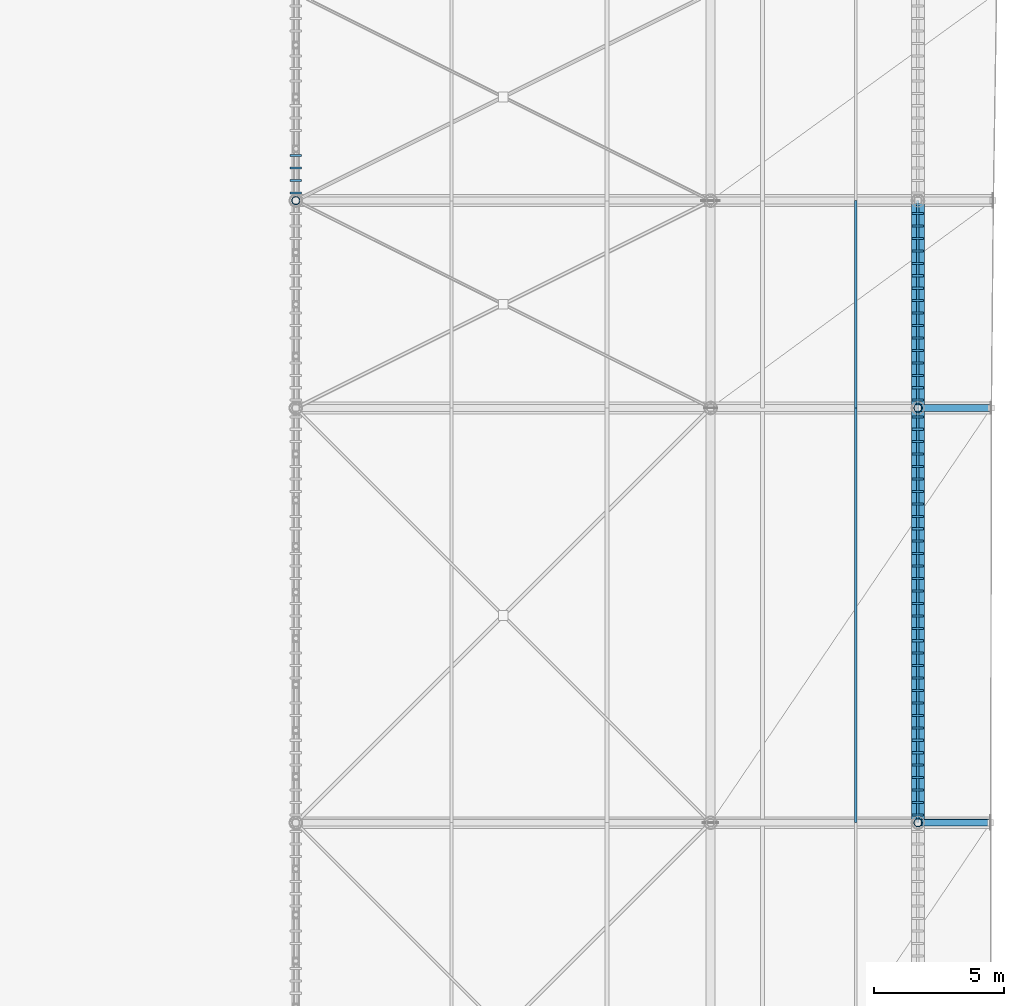
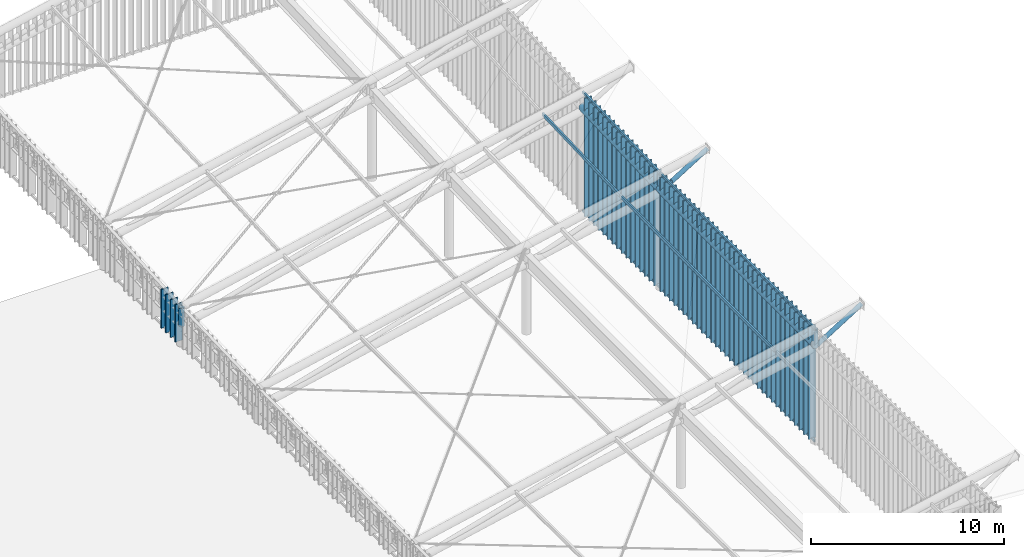
# One storey, part 10 of 25: 64 members, 2 beams.
"""IFC4 building model written with IfcOpenShell, lengths in metres."""

import ifcopenshell
import ifcopenshell.guid

model = None  # the IFC model being written
_history = None  # IfcOwnerHistory: only IFC2X3 demands one
_inside = {}  # id of a spatial element -> (the spatial element, [elements in it])
_under = {}  # id of a project, library or spatial element -> (it, [spatial elements below it])
_declared = {}  # id of a project -> (the project, [libraries it declares])
_typed = {}  # id of a type object -> (the type object, [elements of that type])
_made_of = {}  # id of a material, layer set ... -> (it, [elements and type objects made of it])


def new_model(schema):
    """Start an empty IFC model of exactly this schema.

    Asked for "IFC4X3", IfcOpenShell would pick the latest addendum, in which some entities
    have other attributes; the version numbers below select the first issue.
    IFC2X3 requires an IfcOwnerHistory on every rooted entity: one is made here for all.
    """
    global model, _history
    if schema == "IFC4X3":
        model = ifcopenshell.file(schema_version=(4, 3, 0, 0))
    else:
        model = ifcopenshell.file(schema=schema)
    _inside.clear()
    _under.clear()
    _declared.clear()
    _typed.clear()
    _made_of.clear()
    _history = None
    if model.schema == "IFC2X3":
        org = make("IfcOrganization", Name="unknown")
        user = make(
            "IfcPersonAndOrganization",
            ThePerson=make("IfcPerson", FamilyName="unknown"),
            TheOrganization=org,
        )
        app = make(
            "IfcApplication",
            ApplicationDeveloper=org,
            Version="unknown",
            ApplicationFullName="unknown",
            ApplicationIdentifier="unknown",
        )
        _history = make(
            "IfcOwnerHistory",
            OwningUser=user,
            OwningApplication=app,
            ChangeAction="ADDED",
            CreationDate=0,
        )
    return model


def make(cls, **values):
    """One entity of the class cls with the attributes given. An attribute that is None is left unset."""
    return model.create_entity(
        cls, **{name: value for name, value in values.items() if value is not None}
    )


def rooted(cls, **values):
    """An entity with a GlobalId (a new one), such as an element, a storey or a relation."""
    return make(cls, GlobalId=ifcopenshell.guid.new(), OwnerHistory=_history, **values)


def si_unit(unit_type, name, prefix=None):
    """IfcSIUnit, for example si_unit("LENGTHUNIT", "METRE", prefix="MILLI")."""
    return make("IfcSIUnit", UnitType=unit_type, Prefix=prefix, Name=name)


def assignment(units):
    """IfcUnitAssignment: the units of a project."""
    return None if units is None else make("IfcUnitAssignment", Units=units)


def point(xyz):
    """IfcCartesianPoint."""
    return None if xyz is None else make("IfcCartesianPoint", Coordinates=xyz)


def direction(xyz):
    """IfcDirection."""
    return None if xyz is None else make("IfcDirection", DirectionRatios=xyz)


def frame(location, z_axis=None, x_axis=None):
    """IfcAxis2Placement3D, a coordinate frame: its origin and axes. An axis left out is left unset."""
    return make(
        "IfcAxis2Placement3D",
        Location=point(location),
        Axis=direction(z_axis),
        RefDirection=direction(x_axis),
    )


def frame_2d(location, x_axis=None):
    """IfcAxis2Placement2D, a coordinate frame in the plane: its origin and x axis."""
    return make(
        "IfcAxis2Placement2D", Location=point(location), RefDirection=direction(x_axis)
    )


def origin():
    """The frame at (0, 0, 0) with its axes left unset."""
    return frame((0.0, 0.0, 0.0))


def origin_2d():
    """The frame at (0, 0) in the plane with its x axis left unset."""
    return frame_2d((0.0, 0.0))


def place(relative_to, where):
    """IfcLocalPlacement: puts the frame where relative to a parent placement (None: the world)."""
    return make(
        "IfcLocalPlacement", PlacementRelTo=relative_to, RelativePlacement=where
    )


def context(
    kind, dimensions, precision=None, world=None, true_north=None, identifier=None
):
    """IfcGeometricRepresentationContext, for example the 3D "Model" context."""
    return make(
        "IfcGeometricRepresentationContext",
        ContextIdentifier=identifier,
        ContextType=kind,
        CoordinateSpaceDimension=dimensions,
        Precision=precision,
        WorldCoordinateSystem=world,
        TrueNorth=true_north,
    )


def subcontext(parent, identifier, kind, view, scale=None):
    """IfcGeometricRepresentationSubContext, for example "Body" below "Model"."""
    return make(
        "IfcGeometricRepresentationSubContext",
        ContextIdentifier=identifier,
        ContextType=kind,
        ParentContext=parent,
        TargetScale=scale,
        TargetView=view,
    )


def project(units=None, contexts=None):
    """IfcProject with its units and contexts."""
    return rooted(
        "IfcProject",
        Name="project",
        RepresentationContexts=contexts,
        UnitsInContext=assignment(units),
    )


def spatial(cls, under=None, at=None, **own):
    """A site, building, storey or space (cls), placed at a placement, below another one or the project."""
    s = rooted(cls, ObjectPlacement=at, **own)
    if under is not None:
        _under.setdefault(under.id(), (under, []))[1].append(s)
    return s


def profile(cls, at=None, kind="AREA", **sizes):
    """A parametric profile (cls). Its sizes go by their IFC names, for example OverallWidth=200.0."""
    return make(cls, ProfileType=kind, Position=at, **sizes)


def rectangle(**sizes):
    """IfcRectangleProfileDef."""
    return profile("IfcRectangleProfileDef", **sizes)


def hollow_rectangle(**sizes):
    """IfcRectangleHollowProfileDef."""
    return profile("IfcRectangleHollowProfileDef", **sizes)


def hollow_circle(**sizes):
    """IfcCircleHollowProfileDef."""
    return profile("IfcCircleHollowProfileDef", **sizes)


def extrude(swept, where, along, depth):
    """IfcExtrudedAreaSolid: the profile swept, set in the frame where, extruded along a direction by depth."""
    return make(
        "IfcExtrudedAreaSolid",
        SweptArea=swept,
        Position=where,
        ExtrudedDirection=direction(along),
        Depth=depth,
    )


def shape(context_of_items, identifier, shape_type, items):
    """IfcShapeRepresentation: the items that make up one representation, for example the "Body"."""
    return make(
        "IfcShapeRepresentation",
        ContextOfItems=context_of_items,
        RepresentationIdentifier=identifier,
        RepresentationType=shape_type,
        Items=items,
    )


def material(Name=None, Category=None):
    """IfcMaterial."""
    return make("IfcMaterial", Name=Name, Category=Category)


def material_profile(
    of_material, cross_section, Name=None, Category=None, Priority=None
):
    """IfcMaterialProfile: a cross section and its material."""
    return make(
        "IfcMaterialProfile",
        Name=Name,
        Material=of_material,
        Profile=cross_section,
        Priority=Priority,
        Category=Category,
    )


def profile_set(profiles, Name=None, composite=None):
    """IfcMaterialProfileSet."""
    return make(
        "IfcMaterialProfileSet",
        Name=Name,
        MaterialProfiles=profiles,
        CompositeProfile=composite,
    )


def made_of(thing, what):
    """Note that an element or type object is made of a material, layer set ...; save() writes the relation."""
    if what is not None:
        _made_of.setdefault(what.id(), (what, []))[1].append(thing)
    return thing


def type_object(cls, material=None, **own):
    """A type object (cls), such as IfcWallType, which elements share."""
    return made_of(rooted(cls, **own), material)


def element(
    cls,
    number,
    at=None,
    inside=None,
    cuts=None,
    type_object=None,
    material=None,
    context=None,
    identifier="Body",
    shape_type=None,
    held_by="IfcProductDefinitionShape",
    body=None,
    shapes=None,
    **own,
):
    """One element of the class cls, such as IfcWall. Its Tag is "e" and its number.

    at: its placement. inside: the storey or other place that contains it. cuts: it is an
    opening in that element (IfcRelVoidsElement). A single representation is given by context,
    identifier, shape_type and body (its items); several are given by shapes. held_by: the class
    of the entity that holds the representations. save() writes the other relations.
    """
    e = rooted(cls, Tag="e%d" % number, ObjectPlacement=at, **own)
    if body is not None:
        shapes = [shape(context, identifier, shape_type, body)]
    if shapes is not None:
        e.Representation = make(held_by, Representations=shapes)
    if inside is not None:
        _inside.setdefault(inside.id(), (inside, []))[1].append(e)
    if cuts is not None:
        rooted(
            "IfcRelVoidsElement", RelatingBuildingElement=cuts, RelatedOpeningElement=e
        )
    if type_object is not None:
        _typed.setdefault(type_object.id(), (type_object, []))[1].append(e)
    return made_of(e, material)


def aggregate(whole, parts):
    """IfcRelAggregates: a whole, such as a stair, and the parts it consists of."""
    return rooted("IfcRelAggregates", RelatingObject=whole, RelatedObjects=parts)


def save(model, path):
    """Write the relations noted so far, then the file.

    IfcRelAggregates (storeys below a building ...), IfcRelContainedInSpatialStructure (elements
    in a storey), IfcRelDefinesByType, IfcRelAssociatesMaterial and IfcRelDeclares: one each for
    every whole, place, type object, material and project.
    """
    for whole, parts in _under.values():
        aggregate(whole, parts)
    for where, things in _inside.values():
        rooted(
            "IfcRelContainedInSpatialStructure",
            RelatedElements=things,
            RelatingStructure=where,
        )
    for kind, things in _typed.values():
        rooted("IfcRelDefinesByType", RelatedObjects=things, RelatingType=kind)
    for what, things in _made_of.values():
        rooted("IfcRelAssociatesMaterial", RelatedObjects=things, RelatingMaterial=what)
    for by, libraries in _declared.values():
        rooted("IfcRelDeclares", RelatingContext=by, RelatedDefinitions=libraries)
    model.write(path)


model = new_model("IFC4")

# Units and contexts
model_context = context("Model", 3, precision=1e-05, world=origin(), true_north=direction((0.0, 1.0)))
body_context = subcontext(model_context, "Body", "Model", "MODEL_VIEW")
ifc_project = project(units=[si_unit("LENGTHUNIT", "METRE"), si_unit("AREAUNIT", "SQUARE_METRE"), si_unit("VOLUMEUNIT", "CUBIC_METRE"), si_unit("PLANEANGLEUNIT", "RADIAN"), si_unit("MASSUNIT", "GRAM", prefix="KILO")], contexts=[model_context])

# Site, building, storey
site_placement = place(None, origin())
site = spatial("IfcSite", under=ifc_project, at=site_placement, CompositionType="ELEMENT")
building_placement = place(site_placement, origin())
building = spatial("IfcBuilding", under=site, at=building_placement, Name="Haebicheon Civic Stadium", CompositionType="ELEMENT")
storey_placement = place(building_placement, frame((0.0, 0.0, 31.199951171875)))
storey = spatial("IfcBuildingStorey", under=building, at=storey_placement, Name="RF", CompositionType="ELEMENT", Elevation=31.199951171875)

# Members
ifc_material_1 = material(Name="White painted steel SM490", Category="steel")
ifc_material_profile_1 = material_profile(ifc_material_1, hollow_circle(Radius=0.1337890625, WallThickness=0.011962890625, at=origin_2d()), Name="CHS-267.4x12.0")
ifc_profile_set_1 = profile_set([ifc_material_profile_1], Name="White painted steel SM490")
member_type_1 = type_object("IfcMemberType", Name="BRC-CHS267", PredefinedType="BRACE", material=ifc_profile_set_1)
member_1_placement = place(storey_placement, frame((72.118896484375, 88.0, 6.06494140625), z_axis=(0.84764254313, 0.0, 0.530567732788), x_axis=(0.0, 1.0, 0.0)))
element("IfcMember", 1, at=member_1_placement, inside=storey, type_object=member_type_1, material=ifc_profile_set_1, Name="BR267 diagonal brace CAN-WEST truss 5 tip", PredefinedType="BRACE", context=body_context, shape_type="SweptSolid", body=[
    extrude(hollow_circle(Radius=0.1337890625, WallThickness=0.011962890625, at=origin_2d()), origin(), (0.0, 0.0, 1.0), 3.1630859375),
])
member_2_placement = place(storey_placement, frame((72.118896484375, 104.0, 6.1611328125), z_axis=(0.849184113658, 0.0, 0.528096905038), x_axis=(0.0, 1.0, 0.0)))
element("IfcMember", 2, at=member_2_placement, inside=storey, type_object=member_type_1, material=ifc_profile_set_1, Name="BR267 diagonal brace CAN-WEST truss 6 tip", PredefinedType="BRACE", context=body_context, shape_type="SweptSolid", body=[
    extrude(hollow_circle(Radius=0.1337890625, WallThickness=0.011962890625, at=origin_2d()), origin(), (0.0, 0.0, 1.0), 3.186767578125),
])
ifc_material_2 = material(Name="Acetylated timber GL28h", Category="wood")
ifc_material_profile_2 = material_profile(ifc_material_2, rectangle(XDim=0.080078125, YDim=0.43994140625, at=origin_2d()), Name="TMB-LOUV-80x440")
ifc_profile_set_2 = profile_set([ifc_material_profile_2], Name="Acetylated timber GL28h")
member_type_2 = type_object("IfcMemberType", Name="CRN-LVR-440x80", PredefinedType="PLATE", material=ifc_profile_set_2)
member_3_placement = place(storey_placement, frame((48.0, 112.300048828125, 0.050048828125), z_axis=(0.0, 0.0, 1.0), x_axis=(0.0, 1.0, 0.0)))
element("IfcMember", 3, at=member_3_placement, inside=storey, type_object=member_type_2, material=ifc_profile_set_2, Name="Crown wind-baffle slat W.7.1", PredefinedType="PLATE", context=body_context, shape_type="SweptSolid", body=[
    extrude(rectangle(XDim=0.080078125, YDim=0.43994140625, at=origin_2d()), origin(), (0.0, 0.0, 1.0), 2.363037109375),
])
member_4_placement = place(storey_placement, frame((48.0, 112.780029296875, 0.050048828125), z_axis=(0.0, 0.0, 1.0), x_axis=(0.0, 1.0, 0.0)))
element("IfcMember", 4, at=member_4_placement, inside=storey, type_object=member_type_2, material=ifc_profile_set_2, Name="Crown wind-baffle slat W.7.2", PredefinedType="PLATE", context=body_context, shape_type="SweptSolid", body=[
    extrude(rectangle(XDim=0.080078125, YDim=0.43994140625, at=origin_2d()), origin(), (0.0, 0.0, 1.0), 2.39208984375),
])
member_5_placement = place(storey_placement, frame((48.0, 113.260009765625, 0.050048828125), z_axis=(0.0, 0.0, 1.0), x_axis=(0.0, 1.0, 0.0)))
element("IfcMember", 5, at=member_5_placement, inside=storey, type_object=member_type_2, material=ifc_profile_set_2, Name="Crown wind-baffle slat W.7.3", PredefinedType="PLATE", context=body_context, shape_type="SweptSolid", body=[
    extrude(rectangle(XDim=0.080078125, YDim=0.43994140625, at=origin_2d()), origin(), (0.0, 0.0, 1.0), 2.4208984375),
])
member_6_placement = place(storey_placement, frame((48.0, 113.739990234375, 0.050048828125), z_axis=(0.0, 0.0, 1.0), x_axis=(0.0, 1.0, 0.0)))
element("IfcMember", 6, at=member_6_placement, inside=storey, type_object=member_type_2, material=ifc_profile_set_2, Name="Crown wind-baffle slat W.7.4", PredefinedType="PLATE", context=body_context, shape_type="SweptSolid", body=[
    extrude(rectangle(XDim=0.080078125, YDim=0.43994140625, at=origin_2d()), origin(), (0.0, 0.0, 1.0), 2.449951171875),
])
member_7_placement = place(storey_placement, frame((72.0, 88.300048828125, 0.050048828125), z_axis=(0.0, 0.0, 1.0), x_axis=(0.0, 1.0, 0.0)))
element("IfcMember", 7, at=member_7_placement, inside=storey, type_object=member_type_2, material=ifc_profile_set_2, Name="Crown wind-baffle slat E.5.1", PredefinedType="PLATE", context=body_context, shape_type="SweptSolid", body=[
    extrude(rectangle(XDim=0.080078125, YDim=0.43994140625, at=origin_2d()), origin(), (0.0, 0.0, 1.0), 7.1220703125),
])
member_8_placement = place(storey_placement, frame((72.0, 88.780029296875, 0.050048828125), z_axis=(0.0, 0.0, 1.0), x_axis=(0.0, 1.0, 0.0)))
element("IfcMember", 8, at=member_8_placement, inside=storey, type_object=member_type_2, material=ifc_profile_set_2, Name="Crown wind-baffle slat E.5.2", PredefinedType="PLATE", context=body_context, shape_type="SweptSolid", body=[
    extrude(rectangle(XDim=0.080078125, YDim=0.43994140625, at=origin_2d()), origin(), (0.0, 0.0, 1.0), 7.125),
])
member_9_placement = place(storey_placement, frame((72.0, 89.260009765625, 0.050048828125), z_axis=(0.0, 0.0, 1.0), x_axis=(0.0, 1.0, 0.0)))
element("IfcMember", 9, at=member_9_placement, inside=storey, type_object=member_type_2, material=ifc_profile_set_2, Name="Crown wind-baffle slat E.5.3", PredefinedType="PLATE", context=body_context, shape_type="SweptSolid", body=[
    extrude(rectangle(XDim=0.080078125, YDim=0.43994140625, at=origin_2d()), origin(), (0.0, 0.0, 1.0), 7.1279296875),
])
member_10_placement = place(storey_placement, frame((72.0, 89.739990234375, 0.050048828125), z_axis=(0.0, 0.0, 1.0), x_axis=(0.0, 1.0, 0.0)))
element("IfcMember", 10, at=member_10_placement, inside=storey, type_object=member_type_2, material=ifc_profile_set_2, Name="Crown wind-baffle slat E.5.4", PredefinedType="PLATE", context=body_context, shape_type="SweptSolid", body=[
    extrude(rectangle(XDim=0.080078125, YDim=0.43994140625, at=origin_2d()), origin(), (0.0, 0.0, 1.0), 7.1298828125),
])
member_11_placement = place(storey_placement, frame((72.0, 90.219970703125, 0.050048828125), z_axis=(0.0, 0.0, 1.0), x_axis=(0.0, 1.0, 0.0)))
element("IfcMember", 11, at=member_11_placement, inside=storey, type_object=member_type_2, material=ifc_profile_set_2, Name="Crown wind-baffle slat E.5.5", PredefinedType="PLATE", context=body_context, shape_type="SweptSolid", body=[
    extrude(rectangle(XDim=0.080078125, YDim=0.43994140625, at=origin_2d()), origin(), (0.0, 0.0, 1.0), 7.133056640625),
])
member_12_placement = place(storey_placement, frame((72.0, 90.699951171875, 0.050048828125), z_axis=(0.0, 0.0, 1.0), x_axis=(0.0, 1.0, 0.0)))
element("IfcMember", 12, at=member_12_placement, inside=storey, type_object=member_type_2, material=ifc_profile_set_2, Name="Crown wind-baffle slat E.5.6", PredefinedType="PLATE", context=body_context, shape_type="SweptSolid", body=[
    extrude(rectangle(XDim=0.080078125, YDim=0.43994140625, at=origin_2d()), origin(), (0.0, 0.0, 1.0), 7.135986328125),
])
member_13_placement = place(storey_placement, frame((72.0, 91.179931640625, 0.050048828125), z_axis=(0.0, 0.0, 1.0), x_axis=(0.0, 1.0, 0.0)))
element("IfcMember", 13, at=member_13_placement, inside=storey, type_object=member_type_2, material=ifc_profile_set_2, Name="Crown wind-baffle slat E.5.7", PredefinedType="PLATE", context=body_context, shape_type="SweptSolid", body=[
    extrude(rectangle(XDim=0.080078125, YDim=0.43994140625, at=origin_2d()), origin(), (0.0, 0.0, 1.0), 7.138916015625),
])
member_14_placement = place(storey_placement, frame((72.0, 91.659912109375, 0.050048828125), z_axis=(0.0, 0.0, 1.0), x_axis=(0.0, 1.0, 0.0)))
element("IfcMember", 14, at=member_14_placement, inside=storey, type_object=member_type_2, material=ifc_profile_set_2, Name="Crown wind-baffle slat E.5.8", PredefinedType="PLATE", context=body_context, shape_type="SweptSolid", body=[
    extrude(rectangle(XDim=0.080078125, YDim=0.43994140625, at=origin_2d()), origin(), (0.0, 0.0, 1.0), 7.14208984375),
])
member_15_placement = place(storey_placement, frame((72.0, 92.139892578125, 0.050048828125), z_axis=(0.0, 0.0, 1.0), x_axis=(0.0, 1.0, 0.0)))
element("IfcMember", 15, at=member_15_placement, inside=storey, type_object=member_type_2, material=ifc_profile_set_2, Name="Crown wind-baffle slat E.5.9", PredefinedType="PLATE", context=body_context, shape_type="SweptSolid", body=[
    extrude(rectangle(XDim=0.080078125, YDim=0.43994140625, at=origin_2d()), origin(), (0.0, 0.0, 1.0), 7.14501953125),
])
member_16_placement = place(storey_placement, frame((72.0, 92.6201171875, 0.050048828125), z_axis=(0.0, 0.0, 1.0), x_axis=(0.0, 1.0, 0.0)))
element("IfcMember", 16, at=member_16_placement, inside=storey, type_object=member_type_2, material=ifc_profile_set_2, Name="Crown wind-baffle slat E.5.10", PredefinedType="PLATE", context=body_context, shape_type="SweptSolid", body=[
    extrude(rectangle(XDim=0.080078125, YDim=0.43994140625, at=origin_2d()), origin(), (0.0, 0.0, 1.0), 7.14794921875),
])
member_17_placement = place(storey_placement, frame((72.0, 93.10009765625, 0.050048828125), z_axis=(0.0, 0.0, 1.0), x_axis=(0.0, 1.0, 0.0)))
element("IfcMember", 17, at=member_17_placement, inside=storey, type_object=member_type_2, material=ifc_profile_set_2, Name="Crown wind-baffle slat E.5.11", PredefinedType="PLATE", context=body_context, shape_type="SweptSolid", body=[
    extrude(rectangle(XDim=0.080078125, YDim=0.43994140625, at=origin_2d()), origin(), (0.0, 0.0, 1.0), 7.15087890625),
])
member_18_placement = place(storey_placement, frame((72.0, 93.580078125, 0.050048828125), z_axis=(0.0, 0.0, 1.0), x_axis=(0.0, 1.0, 0.0)))
element("IfcMember", 18, at=member_18_placement, inside=storey, type_object=member_type_2, material=ifc_profile_set_2, Name="Crown wind-baffle slat E.5.12", PredefinedType="PLATE", context=body_context, shape_type="SweptSolid", body=[
    extrude(rectangle(XDim=0.080078125, YDim=0.43994140625, at=origin_2d()), origin(), (0.0, 0.0, 1.0), 7.153076171875),
])
member_19_placement = place(storey_placement, frame((72.0, 94.06005859375, 0.050048828125), z_axis=(0.0, 0.0, 1.0), x_axis=(0.0, 1.0, 0.0)))
element("IfcMember", 19, at=member_19_placement, inside=storey, type_object=member_type_2, material=ifc_profile_set_2, Name="Crown wind-baffle slat E.5.13", PredefinedType="PLATE", context=body_context, shape_type="SweptSolid", body=[
    extrude(rectangle(XDim=0.080078125, YDim=0.43994140625, at=origin_2d()), origin(), (0.0, 0.0, 1.0), 7.156005859375),
])
member_20_placement = place(storey_placement, frame((72.0, 94.5400390625, 0.050048828125), z_axis=(0.0, 0.0, 1.0), x_axis=(0.0, 1.0, 0.0)))
element("IfcMember", 20, at=member_20_placement, inside=storey, type_object=member_type_2, material=ifc_profile_set_2, Name="Crown wind-baffle slat E.5.14", PredefinedType="PLATE", context=body_context, shape_type="SweptSolid", body=[
    extrude(rectangle(XDim=0.080078125, YDim=0.43994140625, at=origin_2d()), origin(), (0.0, 0.0, 1.0), 7.158935546875),
])
member_21_placement = place(storey_placement, frame((72.0, 95.02001953125, 0.050048828125), z_axis=(0.0, 0.0, 1.0), x_axis=(0.0, 1.0, 0.0)))
element("IfcMember", 21, at=member_21_placement, inside=storey, type_object=member_type_2, material=ifc_profile_set_2, Name="Crown wind-baffle slat E.5.15", PredefinedType="PLATE", context=body_context, shape_type="SweptSolid", body=[
    extrude(rectangle(XDim=0.080078125, YDim=0.43994140625, at=origin_2d()), origin(), (0.0, 0.0, 1.0), 7.162109375),
])
member_22_placement = place(storey_placement, frame((72.0, 95.5, 0.050048828125), z_axis=(0.0, 0.0, 1.0), x_axis=(0.0, 1.0, 0.0)))
element("IfcMember", 22, at=member_22_placement, inside=storey, type_object=member_type_2, material=ifc_profile_set_2, Name="Crown wind-baffle slat E.5.16", PredefinedType="PLATE", context=body_context, shape_type="SweptSolid", body=[
    extrude(rectangle(XDim=0.080078125, YDim=0.43994140625, at=origin_2d()), origin(), (0.0, 0.0, 1.0), 7.1650390625),
])
member_23_placement = place(storey_placement, frame((72.0, 95.97998046875, 0.050048828125), z_axis=(0.0, 0.0, 1.0), x_axis=(0.0, 1.0, 0.0)))
element("IfcMember", 23, at=member_23_placement, inside=storey, type_object=member_type_2, material=ifc_profile_set_2, Name="Crown wind-baffle slat E.5.17", PredefinedType="PLATE", context=body_context, shape_type="SweptSolid", body=[
    extrude(rectangle(XDim=0.080078125, YDim=0.43994140625, at=origin_2d()), origin(), (0.0, 0.0, 1.0), 7.16796875),
])
member_24_placement = place(storey_placement, frame((72.0, 96.4599609375, 0.050048828125), z_axis=(0.0, 0.0, 1.0), x_axis=(0.0, 1.0, 0.0)))
element("IfcMember", 24, at=member_24_placement, inside=storey, type_object=member_type_2, material=ifc_profile_set_2, Name="Crown wind-baffle slat E.5.18", PredefinedType="PLATE", context=body_context, shape_type="SweptSolid", body=[
    extrude(rectangle(XDim=0.080078125, YDim=0.43994140625, at=origin_2d()), origin(), (0.0, 0.0, 1.0), 7.1708984375),
])
member_25_placement = place(storey_placement, frame((72.0, 96.93994140625, 0.050048828125), z_axis=(0.0, 0.0, 1.0), x_axis=(0.0, 1.0, 0.0)))
element("IfcMember", 25, at=member_25_placement, inside=storey, type_object=member_type_2, material=ifc_profile_set_2, Name="Crown wind-baffle slat E.5.19", PredefinedType="PLATE", context=body_context, shape_type="SweptSolid", body=[
    extrude(rectangle(XDim=0.080078125, YDim=0.43994140625, at=origin_2d()), origin(), (0.0, 0.0, 1.0), 7.174072265625),
])
member_26_placement = place(storey_placement, frame((72.0, 97.419921875, 0.050048828125), z_axis=(0.0, 0.0, 1.0), x_axis=(0.0, 1.0, 0.0)))
element("IfcMember", 26, at=member_26_placement, inside=storey, type_object=member_type_2, material=ifc_profile_set_2, Name="Crown wind-baffle slat E.5.20", PredefinedType="PLATE", context=body_context, shape_type="SweptSolid", body=[
    extrude(rectangle(XDim=0.080078125, YDim=0.43994140625, at=origin_2d()), origin(), (0.0, 0.0, 1.0), 7.177001953125),
])
member_27_placement = place(storey_placement, frame((72.0, 97.89990234375, 0.050048828125), z_axis=(0.0, 0.0, 1.0), x_axis=(0.0, 1.0, 0.0)))
element("IfcMember", 27, at=member_27_placement, inside=storey, type_object=member_type_2, material=ifc_profile_set_2, Name="Crown wind-baffle slat E.5.21", PredefinedType="PLATE", context=body_context, shape_type="SweptSolid", body=[
    extrude(rectangle(XDim=0.080078125, YDim=0.43994140625, at=origin_2d()), origin(), (0.0, 0.0, 1.0), 7.178955078125),
])
member_28_placement = place(storey_placement, frame((72.0, 98.3798828125, 0.050048828125), z_axis=(0.0, 0.0, 1.0), x_axis=(0.0, 1.0, 0.0)))
element("IfcMember", 28, at=member_28_placement, inside=storey, type_object=member_type_2, material=ifc_profile_set_2, Name="Crown wind-baffle slat E.5.22", PredefinedType="PLATE", context=body_context, shape_type="SweptSolid", body=[
    extrude(rectangle(XDim=0.080078125, YDim=0.43994140625, at=origin_2d()), origin(), (0.0, 0.0, 1.0), 7.181884765625),
])
member_29_placement = place(storey_placement, frame((72.0, 98.860107421875, 0.050048828125), z_axis=(0.0, 0.0, 1.0), x_axis=(0.0, 1.0, 0.0)))
element("IfcMember", 29, at=member_29_placement, inside=storey, type_object=member_type_2, material=ifc_profile_set_2, Name="Crown wind-baffle slat E.5.23", PredefinedType="PLATE", context=body_context, shape_type="SweptSolid", body=[
    extrude(rectangle(XDim=0.080078125, YDim=0.43994140625, at=origin_2d()), origin(), (0.0, 0.0, 1.0), 7.18505859375),
])
member_30_placement = place(storey_placement, frame((72.0, 99.340087890625, 0.050048828125), z_axis=(0.0, 0.0, 1.0), x_axis=(0.0, 1.0, 0.0)))
element("IfcMember", 30, at=member_30_placement, inside=storey, type_object=member_type_2, material=ifc_profile_set_2, Name="Crown wind-baffle slat E.5.24", PredefinedType="PLATE", context=body_context, shape_type="SweptSolid", body=[
    extrude(rectangle(XDim=0.080078125, YDim=0.43994140625, at=origin_2d()), origin(), (0.0, 0.0, 1.0), 7.18798828125),
])
member_31_placement = place(storey_placement, frame((72.0, 99.820068359375, 0.050048828125), z_axis=(0.0, 0.0, 1.0), x_axis=(0.0, 1.0, 0.0)))
element("IfcMember", 31, at=member_31_placement, inside=storey, type_object=member_type_2, material=ifc_profile_set_2, Name="Crown wind-baffle slat E.5.25", PredefinedType="PLATE", context=body_context, shape_type="SweptSolid", body=[
    extrude(rectangle(XDim=0.080078125, YDim=0.43994140625, at=origin_2d()), origin(), (0.0, 0.0, 1.0), 7.19091796875),
])
member_32_placement = place(storey_placement, frame((72.0, 100.300048828125, 0.050048828125), z_axis=(0.0, 0.0, 1.0), x_axis=(0.0, 1.0, 0.0)))
element("IfcMember", 32, at=member_32_placement, inside=storey, type_object=member_type_2, material=ifc_profile_set_2, Name="Crown wind-baffle slat E.5.26", PredefinedType="PLATE", context=body_context, shape_type="SweptSolid", body=[
    extrude(rectangle(XDim=0.080078125, YDim=0.43994140625, at=origin_2d()), origin(), (0.0, 0.0, 1.0), 7.194091796875),
])
member_33_placement = place(storey_placement, frame((72.0, 100.780029296875, 0.050048828125), z_axis=(0.0, 0.0, 1.0), x_axis=(0.0, 1.0, 0.0)))
element("IfcMember", 33, at=member_33_placement, inside=storey, type_object=member_type_2, material=ifc_profile_set_2, Name="Crown wind-baffle slat E.5.27", PredefinedType="PLATE", context=body_context, shape_type="SweptSolid", body=[
    extrude(rectangle(XDim=0.080078125, YDim=0.43994140625, at=origin_2d()), origin(), (0.0, 0.0, 1.0), 7.197021484375),
])
member_34_placement = place(storey_placement, frame((72.0, 101.260009765625, 0.050048828125), z_axis=(0.0, 0.0, 1.0), x_axis=(0.0, 1.0, 0.0)))
element("IfcMember", 34, at=member_34_placement, inside=storey, type_object=member_type_2, material=ifc_profile_set_2, Name="Crown wind-baffle slat E.5.28", PredefinedType="PLATE", context=body_context, shape_type="SweptSolid", body=[
    extrude(rectangle(XDim=0.080078125, YDim=0.43994140625, at=origin_2d()), origin(), (0.0, 0.0, 1.0), 7.199951171875),
])
member_35_placement = place(storey_placement, frame((72.0, 101.739990234375, 0.050048828125), z_axis=(0.0, 0.0, 1.0), x_axis=(0.0, 1.0, 0.0)))
element("IfcMember", 35, at=member_35_placement, inside=storey, type_object=member_type_2, material=ifc_profile_set_2, Name="Crown wind-baffle slat E.5.29", PredefinedType="PLATE", context=body_context, shape_type="SweptSolid", body=[
    extrude(rectangle(XDim=0.080078125, YDim=0.43994140625, at=origin_2d()), origin(), (0.0, 0.0, 1.0), 7.201904296875),
])
member_36_placement = place(storey_placement, frame((72.0, 102.219970703125, 0.050048828125), z_axis=(0.0, 0.0, 1.0), x_axis=(0.0, 1.0, 0.0)))
element("IfcMember", 36, at=member_36_placement, inside=storey, type_object=member_type_2, material=ifc_profile_set_2, Name="Crown wind-baffle slat E.5.30", PredefinedType="PLATE", context=body_context, shape_type="SweptSolid", body=[
    extrude(rectangle(XDim=0.080078125, YDim=0.43994140625, at=origin_2d()), origin(), (0.0, 0.0, 1.0), 7.205078125),
])
member_37_placement = place(storey_placement, frame((72.0, 102.699951171875, 0.050048828125), z_axis=(0.0, 0.0, 1.0), x_axis=(0.0, 1.0, 0.0)))
element("IfcMember", 37, at=member_37_placement, inside=storey, type_object=member_type_2, material=ifc_profile_set_2, Name="Crown wind-baffle slat E.5.31", PredefinedType="PLATE", context=body_context, shape_type="SweptSolid", body=[
    extrude(rectangle(XDim=0.080078125, YDim=0.43994140625, at=origin_2d()), origin(), (0.0, 0.0, 1.0), 7.2080078125),
])
member_38_placement = place(storey_placement, frame((72.0, 103.179931640625, 0.050048828125), z_axis=(0.0, 0.0, 1.0), x_axis=(0.0, 1.0, 0.0)))
element("IfcMember", 38, at=member_38_placement, inside=storey, type_object=member_type_2, material=ifc_profile_set_2, Name="Crown wind-baffle slat E.5.32", PredefinedType="PLATE", context=body_context, shape_type="SweptSolid", body=[
    extrude(rectangle(XDim=0.080078125, YDim=0.43994140625, at=origin_2d()), origin(), (0.0, 0.0, 1.0), 7.2109375),
])
member_39_placement = place(storey_placement, frame((72.0, 103.659912109375, 0.050048828125), z_axis=(0.0, 0.0, 1.0), x_axis=(0.0, 1.0, 0.0)))
element("IfcMember", 39, at=member_39_placement, inside=storey, type_object=member_type_2, material=ifc_profile_set_2, Name="Crown wind-baffle slat E.5.33", PredefinedType="PLATE", context=body_context, shape_type="SweptSolid", body=[
    extrude(rectangle(XDim=0.080078125, YDim=0.43994140625, at=origin_2d()), origin(), (0.0, 0.0, 1.0), 7.214111328125),
])
member_40_placement = place(storey_placement, frame((72.0, 104.300048828125, 0.050048828125), z_axis=(0.0, 0.0, 1.0), x_axis=(0.0, 1.0, 0.0)))
element("IfcMember", 40, at=member_40_placement, inside=storey, type_object=member_type_2, material=ifc_profile_set_2, Name="Crown wind-baffle slat E.6.1", PredefinedType="PLATE", context=body_context, shape_type="SweptSolid", body=[
    extrude(rectangle(XDim=0.080078125, YDim=0.43994140625, at=origin_2d()), origin(), (0.0, 0.0, 1.0), 7.22705078125),
])
member_41_placement = place(storey_placement, frame((72.0, 104.780029296875, 0.050048828125), z_axis=(0.0, 0.0, 1.0), x_axis=(0.0, 1.0, 0.0)))
element("IfcMember", 41, at=member_41_placement, inside=storey, type_object=member_type_2, material=ifc_profile_set_2, Name="Crown wind-baffle slat E.6.2", PredefinedType="PLATE", context=body_context, shape_type="SweptSolid", body=[
    extrude(rectangle(XDim=0.080078125, YDim=0.43994140625, at=origin_2d()), origin(), (0.0, 0.0, 1.0), 7.243896484375),
])
member_42_placement = place(storey_placement, frame((72.0, 105.260009765625, 0.050048828125), z_axis=(0.0, 0.0, 1.0), x_axis=(0.0, 1.0, 0.0)))
element("IfcMember", 42, at=member_42_placement, inside=storey, type_object=member_type_2, material=ifc_profile_set_2, Name="Crown wind-baffle slat E.6.3", PredefinedType="PLATE", context=body_context, shape_type="SweptSolid", body=[
    extrude(rectangle(XDim=0.080078125, YDim=0.43994140625, at=origin_2d()), origin(), (0.0, 0.0, 1.0), 7.261962890625),
])
member_43_placement = place(storey_placement, frame((72.0, 105.739990234375, 0.050048828125), z_axis=(0.0, 0.0, 1.0), x_axis=(0.0, 1.0, 0.0)))
element("IfcMember", 43, at=member_43_placement, inside=storey, type_object=member_type_2, material=ifc_profile_set_2, Name="Crown wind-baffle slat E.6.4", PredefinedType="PLATE", context=body_context, shape_type="SweptSolid", body=[
    extrude(rectangle(XDim=0.080078125, YDim=0.43994140625, at=origin_2d()), origin(), (0.0, 0.0, 1.0), 7.279052734375),
])
member_44_placement = place(storey_placement, frame((72.0, 106.219970703125, 0.050048828125), z_axis=(0.0, 0.0, 1.0), x_axis=(0.0, 1.0, 0.0)))
element("IfcMember", 44, at=member_44_placement, inside=storey, type_object=member_type_2, material=ifc_profile_set_2, Name="Crown wind-baffle slat E.6.5", PredefinedType="PLATE", context=body_context, shape_type="SweptSolid", body=[
    extrude(rectangle(XDim=0.080078125, YDim=0.43994140625, at=origin_2d()), origin(), (0.0, 0.0, 1.0), 7.2958984375),
])
member_45_placement = place(storey_placement, frame((72.0, 106.699951171875, 0.050048828125), z_axis=(0.0, 0.0, 1.0), x_axis=(0.0, 1.0, 0.0)))
element("IfcMember", 45, at=member_45_placement, inside=storey, type_object=member_type_2, material=ifc_profile_set_2, Name="Crown wind-baffle slat E.6.6", PredefinedType="PLATE", context=body_context, shape_type="SweptSolid", body=[
    extrude(rectangle(XDim=0.080078125, YDim=0.43994140625, at=origin_2d()), origin(), (0.0, 0.0, 1.0), 7.31396484375),
])
member_46_placement = place(storey_placement, frame((72.0, 107.179931640625, 0.050048828125), z_axis=(0.0, 0.0, 1.0), x_axis=(0.0, 1.0, 0.0)))
element("IfcMember", 46, at=member_46_placement, inside=storey, type_object=member_type_2, material=ifc_profile_set_2, Name="Crown wind-baffle slat E.6.7", PredefinedType="PLATE", context=body_context, shape_type="SweptSolid", body=[
    extrude(rectangle(XDim=0.080078125, YDim=0.43994140625, at=origin_2d()), origin(), (0.0, 0.0, 1.0), 7.3310546875),
])
member_47_placement = place(storey_placement, frame((72.0, 107.659912109375, 0.050048828125), z_axis=(0.0, 0.0, 1.0), x_axis=(0.0, 1.0, 0.0)))
element("IfcMember", 47, at=member_47_placement, inside=storey, type_object=member_type_2, material=ifc_profile_set_2, Name="Crown wind-baffle slat E.6.8", PredefinedType="PLATE", context=body_context, shape_type="SweptSolid", body=[
    extrude(rectangle(XDim=0.080078125, YDim=0.43994140625, at=origin_2d()), origin(), (0.0, 0.0, 1.0), 7.347900390625),
])
member_48_placement = place(storey_placement, frame((72.0, 108.139892578125, 0.050048828125), z_axis=(0.0, 0.0, 1.0), x_axis=(0.0, 1.0, 0.0)))
element("IfcMember", 48, at=member_48_placement, inside=storey, type_object=member_type_2, material=ifc_profile_set_2, Name="Crown wind-baffle slat E.6.9", PredefinedType="PLATE", context=body_context, shape_type="SweptSolid", body=[
    extrude(rectangle(XDim=0.080078125, YDim=0.43994140625, at=origin_2d()), origin(), (0.0, 0.0, 1.0), 7.365966796875),
])
member_49_placement = place(storey_placement, frame((72.0, 108.6201171875, 0.050048828125), z_axis=(0.0, 0.0, 1.0), x_axis=(0.0, 1.0, 0.0)))
element("IfcMember", 49, at=member_49_placement, inside=storey, type_object=member_type_2, material=ifc_profile_set_2, Name="Crown wind-baffle slat E.6.10", PredefinedType="PLATE", context=body_context, shape_type="SweptSolid", body=[
    extrude(rectangle(XDim=0.080078125, YDim=0.43994140625, at=origin_2d()), origin(), (0.0, 0.0, 1.0), 7.383056640625),
])
member_50_placement = place(storey_placement, frame((72.0, 109.10009765625, 0.050048828125), z_axis=(0.0, 0.0, 1.0), x_axis=(0.0, 1.0, 0.0)))
element("IfcMember", 50, at=member_50_placement, inside=storey, type_object=member_type_2, material=ifc_profile_set_2, Name="Crown wind-baffle slat E.6.11", PredefinedType="PLATE", context=body_context, shape_type="SweptSolid", body=[
    extrude(rectangle(XDim=0.080078125, YDim=0.43994140625, at=origin_2d()), origin(), (0.0, 0.0, 1.0), 7.39990234375),
])
member_51_placement = place(storey_placement, frame((72.0, 109.580078125, 0.050048828125), z_axis=(0.0, 0.0, 1.0), x_axis=(0.0, 1.0, 0.0)))
element("IfcMember", 51, at=member_51_placement, inside=storey, type_object=member_type_2, material=ifc_profile_set_2, Name="Crown wind-baffle slat E.6.12", PredefinedType="PLATE", context=body_context, shape_type="SweptSolid", body=[
    extrude(rectangle(XDim=0.080078125, YDim=0.43994140625, at=origin_2d()), origin(), (0.0, 0.0, 1.0), 7.41796875),
])
member_52_placement = place(storey_placement, frame((72.0, 110.06005859375, 0.050048828125), z_axis=(0.0, 0.0, 1.0), x_axis=(0.0, 1.0, 0.0)))
element("IfcMember", 52, at=member_52_placement, inside=storey, type_object=member_type_2, material=ifc_profile_set_2, Name="Crown wind-baffle slat E.6.13", PredefinedType="PLATE", context=body_context, shape_type="SweptSolid", body=[
    extrude(rectangle(XDim=0.080078125, YDim=0.43994140625, at=origin_2d()), origin(), (0.0, 0.0, 1.0), 7.43505859375),
])
member_53_placement = place(storey_placement, frame((72.0, 110.5400390625, 0.050048828125), z_axis=(0.0, 0.0, 1.0), x_axis=(0.0, 1.0, 0.0)))
element("IfcMember", 53, at=member_53_placement, inside=storey, type_object=member_type_2, material=ifc_profile_set_2, Name="Crown wind-baffle slat E.6.14", PredefinedType="PLATE", context=body_context, shape_type="SweptSolid", body=[
    extrude(rectangle(XDim=0.080078125, YDim=0.43994140625, at=origin_2d()), origin(), (0.0, 0.0, 1.0), 7.451904296875),
])
member_54_placement = place(storey_placement, frame((72.0, 111.02001953125, 0.050048828125), z_axis=(0.0, 0.0, 1.0), x_axis=(0.0, 1.0, 0.0)))
element("IfcMember", 54, at=member_54_placement, inside=storey, type_object=member_type_2, material=ifc_profile_set_2, Name="Crown wind-baffle slat E.6.15", PredefinedType="PLATE", context=body_context, shape_type="SweptSolid", body=[
    extrude(rectangle(XDim=0.080078125, YDim=0.43994140625, at=origin_2d()), origin(), (0.0, 0.0, 1.0), 7.469970703125),
])
member_55_placement = place(storey_placement, frame((72.0, 111.5, 0.050048828125), z_axis=(0.0, 0.0, 1.0), x_axis=(0.0, 1.0, 0.0)))
element("IfcMember", 55, at=member_55_placement, inside=storey, type_object=member_type_2, material=ifc_profile_set_2, Name="Crown wind-baffle slat E.6.16", PredefinedType="PLATE", context=body_context, shape_type="SweptSolid", body=[
    extrude(rectangle(XDim=0.080078125, YDim=0.43994140625, at=origin_2d()), origin(), (0.0, 0.0, 1.0), 7.487060546875),
])
ifc_material_3 = material(Name="White painted steel SM490", Category="steel")
ifc_material_profile_3 = material_profile(ifc_material_3, hollow_rectangle(XDim=0.10009765625, YDim=0.199951171875, WallThickness=0.008056640625, at=origin_2d()), Name="RHS-200x100x8.0")
ifc_profile_set_3 = profile_set([ifc_material_profile_3], Name="White painted steel SM490")
member_type_3 = type_object("IfcMemberType", Name="PRL-RHS200", PredefinedType="RAFTER", material=ifc_profile_set_3)
member_56_placement = place(storey_placement, frame((69.60009765625, 88.0, 6.609130859375), z_axis=(0.0, 0.999982020255, 0.005996596282), x_axis=(-1.0, 0.0, 0.0)))
element("IfcMember", 56, at=member_56_placement, inside=storey, type_object=member_type_3, material=ifc_profile_set_3, Name="CAN-WEST canopy purlin bay 5 (90%)", PredefinedType="RAFTER", context=body_context, shape_type="SweptSolid", body=[
    extrude(hollow_rectangle(XDim=0.10009765625, YDim=0.199951171875, WallThickness=0.008056640625, at=origin_2d()), origin(), (0.0, 0.0, 1.0), 16.000244140625),
])
member_57_placement = place(storey_placement, frame((69.60009765625, 104.0, 6.705078125), z_axis=(0.0, 0.999347848438, 0.03610924843), x_axis=(-1.0, 0.0, 0.0)))
element("IfcMember", 57, at=member_57_placement, inside=storey, type_object=member_type_3, material=ifc_profile_set_3, Name="CAN-WEST canopy purlin bay 6 (90%)", PredefinedType="RAFTER", context=body_context, shape_type="SweptSolid", body=[
    extrude(hollow_rectangle(XDim=0.10009765625, YDim=0.199951171875, WallThickness=0.008056640625, at=origin_2d()), origin(), (0.0, 0.0, 1.0), 8.005126953125),
])

# Beams
ifc_material_4 = material(Name="White painted steel SM490", Category="steel")
ifc_material_profile_4 = material_profile(ifc_material_4, hollow_circle(Radius=0.25390625, WallThickness=0.02490234375, at=origin_2d()), Name="CHS-508.0x25.0")
ifc_profile_set_4 = profile_set([ifc_material_profile_4], Name="White painted steel SM490")
beam_type = type_object("IfcBeamType", Name="RB-ST-CHS508", PredefinedType="USERDEFINED", material=ifc_profile_set_4)
beam_1_placement = place(storey_placement, frame((72.0, 88.0, 6.240966796875), z_axis=(0.0, 0.999981928641, 0.006011854246), x_axis=(-1.0, 0.0, 0.0)))
element("IfcBeam", 58, at=beam_1_placement, inside=storey, type_object=beam_type, material=ifc_profile_set_4, Name="CAN-WEST polygonal ring beam RB-PIR bay 5", ObjectType="RING BEAM", PredefinedType="USERDEFINED", context=body_context, shape_type="SweptSolid", body=[
    extrude(hollow_circle(Radius=0.25390625, WallThickness=0.02490234375, at=origin_2d()), origin(), (0.0, 0.0, 1.0), 16.000244140625),
])
beam_2_placement = place(storey_placement, frame((72.0, 104.0, 6.337158203125), z_axis=(0.0, 0.999348948505, 0.036078790469), x_axis=(-1.0, 0.0, 0.0)))
element("IfcBeam", 59, at=beam_2_placement, inside=storey, type_object=beam_type, material=ifc_profile_set_4, Name="CAN-WEST polygonal ring beam RB-PIR bay 6", ObjectType="RING BEAM", PredefinedType="USERDEFINED", context=body_context, shape_type="SweptSolid", body=[
    extrude(hollow_circle(Radius=0.25390625, WallThickness=0.02490234375, at=origin_2d()), origin(), (0.0, 0.0, 1.0), 8.005126953125),
])

# Members
ifc_material_5 = material(Name="White painted steel SM490", Category="steel")
ifc_material_profile_5 = material_profile(ifc_material_5, hollow_circle(Radius=0.1591796875, WallThickness=0.013916015625, at=origin_2d()), Name="CHS-318.5x14.0")
ifc_profile_set_5 = profile_set([ifc_material_profile_5], Name="White painted steel SM490")
member_type_4 = type_object("IfcMemberType", Name="STR-CHS318", PredefinedType="STRUT", material=ifc_profile_set_5)
member_58_placement = place(storey_placement, frame((72.0, 88.0, 5.990966796875), z_axis=(0.0, 0.0, 1.0), x_axis=(1.0, 0.0, 0.0)))
element("IfcMember", 60, at=member_58_placement, inside=storey, type_object=member_type_4, material=ifc_profile_set_5, Name="ST318 web strut CAN-WEST truss 5 VR", PredefinedType="STRUT", context=body_context, shape_type="SweptSolid", body=[
    extrude(hollow_circle(Radius=0.1591796875, WallThickness=0.013916015625, at=origin_2d()), origin(), (0.0, 0.0, 1.0), 1.150146484375),
])
for number, where, z_axis, x_axis, name in (
    (61, (72.0, 104.0, 6.087158203125), (0.0, 0.0, 1.0), (1.0, 0.0, 0.0), "ST318 web strut CAN-WEST truss 6 VR"),
    (62, (48.0, 112.0, 1.216064453125), (0.0, 0.0, 1.0), (1.0, 0.0, 0.0), "ST318 web strut CAN-WEST truss 7 VB"),
):
    element("IfcMember", number, at=place(storey_placement, frame(where, z_axis=z_axis, x_axis=x_axis)), inside=storey, type_object=member_type_4, material=ifc_profile_set_5, Name=name, PredefinedType="STRUT", context=body_context, shape_type="SweptSolid", body=[
        extrude(hollow_circle(Radius=0.1591796875, WallThickness=0.013916015625, at=origin_2d()), origin(), (0.0, 0.0, 1.0), 1.14990234375),
    ])
ifc_material_6 = material(Name="Steel SM355 (S355)", Category="steel")
ifc_material_profile_6 = material_profile(ifc_material_6, hollow_rectangle(XDim=0.10009765625, YDim=0.14990234375, WallThickness=0.006103515625, at=origin_2d()), Name="RHS-150x100x6.0")
ifc_profile_set_6 = profile_set([ifc_material_profile_6], Name="Steel SM355 (S355)")
member_type_5 = type_object("IfcMemberType", Name="SUB-RHS150", PredefinedType="STRINGER", material=ifc_profile_set_6)
member_59_placement = place(storey_placement, frame((72.0, 88.0, 0.050048828125), z_axis=(0.0, 1.0, 0.0), x_axis=(-1.0, 0.0, 0.0)))
element("IfcMember", 63, at=member_59_placement, inside=storey, type_object=member_type_5, material=ifc_profile_set_6, Name="Crown baffle bottom rail E.5", PredefinedType="STRINGER", context=body_context, shape_type="SweptSolid", body=[
    extrude(hollow_rectangle(XDim=0.10009765625, YDim=0.14990234375, WallThickness=0.006103515625, at=origin_2d()), origin(), (0.0, 0.0, 1.0), 16.0),
])
member_60_placement = place(storey_placement, frame((72.0, 88.0, 7.170166015625), z_axis=(0.0, 0.999982020255, 0.005996596282), x_axis=(-1.0, 0.0, 0.0)))
element("IfcMember", 64, at=member_60_placement, inside=storey, type_object=member_type_5, material=ifc_profile_set_6, Name="Crown baffle top rail E.5", PredefinedType="STRINGER", context=body_context, shape_type="SweptSolid", body=[
    extrude(hollow_rectangle(XDim=0.10009765625, YDim=0.14990234375, WallThickness=0.006103515625, at=origin_2d()), origin(), (0.0, 0.0, 1.0), 16.000244140625),
])
member_61_placement = place(storey_placement, frame((72.0, 104.0, 0.050048828125), z_axis=(0.0, 1.0, 0.0), x_axis=(-1.0, 0.0, 0.0)))
element("IfcMember", 65, at=member_61_placement, inside=storey, type_object=member_type_5, material=ifc_profile_set_6, Name="Crown baffle bottom rail E.6", PredefinedType="STRINGER", context=body_context, shape_type="SweptSolid", body=[
    extrude(hollow_rectangle(XDim=0.10009765625, YDim=0.14990234375, WallThickness=0.006103515625, at=origin_2d()), origin(), (0.0, 0.0, 1.0), 8.0),
])
member_62_placement = place(storey_placement, frame((72.0, 104.0, 7.26611328125), z_axis=(0.0, 0.999348948505, 0.036078790469), x_axis=(-1.0, 0.0, 0.0)))
element("IfcMember", 66, at=member_62_placement, inside=storey, type_object=member_type_5, material=ifc_profile_set_6, Name="Crown baffle top rail E.6", PredefinedType="STRINGER", context=body_context, shape_type="SweptSolid", body=[
    extrude(hollow_rectangle(XDim=0.10009765625, YDim=0.14990234375, WallThickness=0.006103515625, at=origin_2d()), origin(), (0.0, 0.0, 1.0), 8.005126953125),
])

save(model, "model.ifc")
